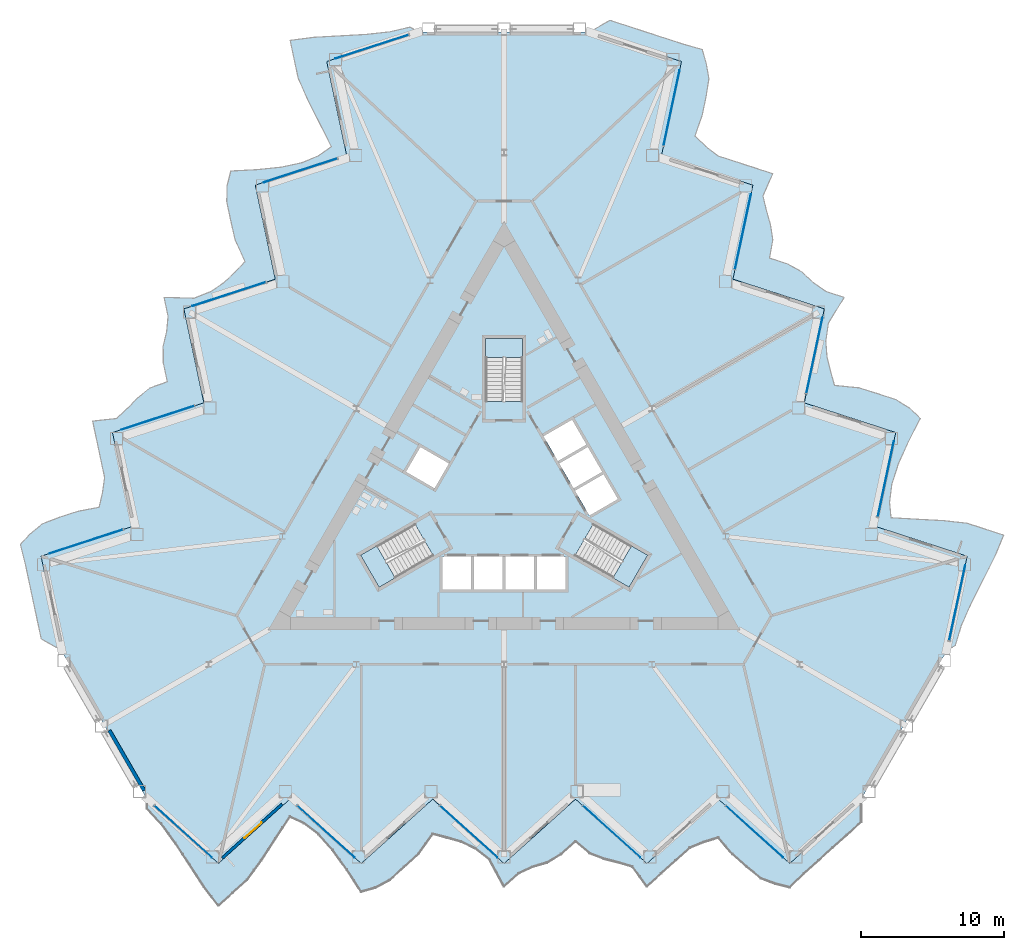
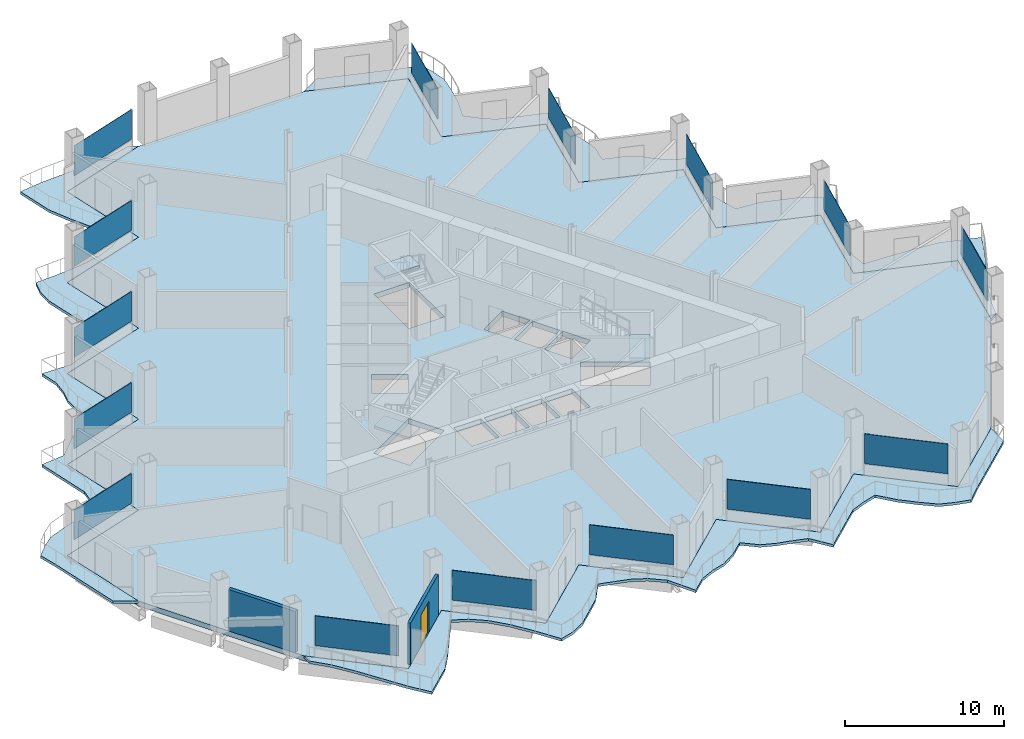
# One storey, part 9 of 21: 15 plates, 7 slabs, 2 walls, 1 door, 1 opening, 18 elements without a shape of their own.
"""IFC4 building model written with IfcOpenShell, lengths in metres."""

from ifc_helpers import new_model, si_unit, direction, frame, frame_2d, origin, origin_2d, place, context, subcontext, project, spatial, polyline, rectangle, outline, extrude, material, layer, layer_set, type_object, element, fill, aggregate, save


model = new_model("IFC4")

# Units and contexts
model_context = context("Model", 3, precision=1e-05, world=origin(), true_north=direction((0.0, 1.0)))
body_context = subcontext(model_context, "Body", "Model", "MODEL_VIEW")
ifc_project = project(units=[si_unit("LENGTHUNIT", "METRE"), si_unit("AREAUNIT", "SQUARE_METRE"), si_unit("VOLUMEUNIT", "CUBIC_METRE"), si_unit("PLANEANGLEUNIT", "RADIAN"), si_unit("MASSUNIT", "GRAM", prefix="KILO")], contexts=[model_context])

# Site, building, storey
site_placement = place(None, origin())
site = spatial("IfcSite", under=ifc_project, at=site_placement, CompositionType="ELEMENT")
building_placement = place(site_placement, origin())
building = spatial("IfcBuilding", under=site, at=building_placement, Name="Cormorant Prow Tower", CompositionType="ELEMENT")
storey_placement = place(building_placement, frame((0.0, 0.0, 99.60009765625)))
storey = spatial("IfcBuildingStorey", under=building, at=storey_placement, Name="L20", CompositionType="ELEMENT", Elevation=99.60009765625)

# Slabs
ifc_material_1 = material(Name="Concrete C40/50", Category="concrete")
ifc_layer_1 = layer(ifc_material_1, 0.199951171875)
ifc_layer_set_1 = layer_set([ifc_layer_1], Name="Concrete C40/50")
slab_type_1 = type_object("IfcSlabType", Name="Balcony slab 200", PredefinedType="FLOOR", material=ifc_layer_set_1)
slab_1_placement = place(storey_placement, frame((0.0, 0.0, -0.2001953125)))
element("IfcSlab", 1, at=slab_1_placement, inside=storey, type_object=slab_type_1, Name="Balcony slab S L20", PredefinedType="FLOOR", context=body_context, shape_type="SweptSolid", body=[
    extrude(outline(polyline([(-24.96337890625, -21.35498046875), (-24.96337890625, -22.0048828125), (-23.96484375, -23.073974609375), (-22.96630859375, -24.43701171875), (-21.9677734375, -25.967529296875), (-20.96923828125, -27.49365234375), (-19.970703125, -28.80029296875), (-18.97216796875, -27.9013671875), (-17.9736328125, -27.002197265625), (-16.97509765625, -25.642578125), (-15.9765625, -24.1083984375), (-14.97802734375, -22.586669921875), (-13.9794921875, -23.044677734375), (-12.98095703125, -23.8046875), (-11.982421875, -24.904052734375), (-10.98388671875, -26.288818359375), (-9.9853515625, -27.826416015625), (-8.98681640625, -27.545166015625), (-7.98828125, -27.002197265625), (-6.98974609375, -26.10302734375), (-5.9912109375, -25.185302734375), (-4.99267578125, -23.790283203125), (-3.994140625, -24.047607421875), (-2.99560546875, -24.334228515625), (-1.9970703125, -24.816162109375), (-0.99853515625, -25.607177734375), (0.0, -27.450439453125), (0.99853515625, -26.55126953125), (1.9970703125, -26.0888671875), (2.99560546875, -25.796875), (3.994140625, -25.2041015625), (4.99267578125, -24.304931640625), (5.9912109375, -25.149658203125), (6.98974609375, -25.53271484375), (7.98828125, -25.785400390625), (8.98681640625, -26.08349609375), (9.9853515625, -27.450439453125), (10.98388671875, -26.55126953125), (11.982421875, -25.652099609375), (12.98095703125, -24.753173828125), (13.9794921875, -24.350830078125), (14.97802734375, -24.046630859375), (15.9765625, -25.2041015625), (16.97509765625, -26.10302734375), (17.9736328125, -26.909912109375), (18.97216796875, -27.274169921875), (19.970703125, -27.5234375), (20.96923828125, -26.55126953125), (21.9677734375, -25.652099609375), (22.96630859375, -24.753173828125), (23.96484375, -23.85400390625), (24.96337890625, -22.954833984375), (24.96337890625, -21.35498046875), (23.96484375, -22.254150390625), (22.96630859375, -23.153076171875), (21.9677734375, -24.05224609375), (20.96923828125, -24.951171875), (19.970703125, -25.850341796875), (18.97216796875, -24.951171875), (17.9736328125, -24.05224609375), (16.97509765625, -23.153076171875), (15.9765625, -22.254150390625), (14.97802734375, -21.35498046875), (13.9794921875, -22.254150390625), (12.98095703125, -23.153076171875), (11.982421875, -24.05224609375), (10.98388671875, -24.951171875), (9.9853515625, -25.850341796875), (8.98681640625, -24.951171875), (7.98828125, -24.05224609375), (6.98974609375, -23.153076171875), (5.9912109375, -22.254150390625), (4.99267578125, -21.35498046875), (3.994140625, -22.254150390625), (2.99560546875, -23.153076171875), (1.9970703125, -24.05224609375), (0.99853515625, -24.951171875), (0.0, -25.850341796875), (-0.99853515625, -24.951171875), (-1.9970703125, -24.05224609375), (-2.99560546875, -23.153076171875), (-3.994140625, -22.254150390625), (-4.99267578125, -21.35498046875), (-5.9912109375, -22.254150390625), (-6.98974609375, -23.153076171875), (-7.98828125, -24.05224609375), (-8.98681640625, -24.951171875), (-9.9853515625, -25.850341796875), (-10.98388671875, -24.951171875), (-11.982421875, -24.05224609375), (-12.98095703125, -23.153076171875), (-13.9794921875, -22.254150390625), (-14.97802734375, -21.35498046875), (-15.9765625, -22.254150390625), (-16.97509765625, -23.153076171875), (-17.9736328125, -24.05224609375), (-18.97216796875, -24.951171875), (-19.970703125, -25.850341796875), (-20.96923828125, -24.951171875), (-21.9677734375, -24.05224609375), (-22.96630859375, -23.153076171875), (-23.96484375, -22.254150390625), (-24.96337890625, -21.35498046875)])), origin(), (0.0, 0.0, 1.0), 0.2001953125),
])
slab_2_placement = place(storey_placement, frame((0.0, 0.0, -0.2001953125)))
element("IfcSlab", 2, at=slab_2_placement, inside=storey, type_object=slab_type_1, Name="Balcony slab ENE L20", PredefinedType="FLOOR", context=body_context, shape_type="SweptSolid", body=[
    extrude(outline(polyline([(30.9755859375, -10.94140625), (31.53857421875, -10.616455078125), (31.965087890625, -9.217041015625), (32.646240234375, -7.6708984375), (33.472412109375, -6.041015625), (34.294921875, -4.4130859375), (34.92724609375, -2.89501953125), (33.6494140625, -2.479736328125), (32.371337890625, -2.064453125), (30.69482421875, -1.879638671875), (28.86669921875, -1.781982421875), (27.049560546875, -1.677978515625), (26.947021484375, -0.584228515625), (27.10595703125, 0.660400390625), (27.558837890625, 2.074951171875), (28.258544921875, 3.632080078125), (29.091064453125, 5.265625), (28.34814453125, 5.98974609375), (27.378662109375, 6.5830078125), (26.100830078125, 6.998291015625), (24.806640625, 7.404052734375), (23.09912109375, 7.5712890625), (22.822998046875, 8.564697265625), (22.57177734375, 9.57275390625), (22.489990234375, 10.678466796875), (22.67578125, 11.93896484375), (23.772705078125, 13.72509765625), (22.494873046875, 14.140380859375), (21.594970703125, 14.77392578125), (20.8427734375, 15.49267578125), (19.830322265625, 16.06103515625), (18.55224609375, 16.476318359375), (18.78466796875, 17.763427734375), (18.6171875, 18.819580078125), (18.336669921875, 19.810791015625), (18.095458984375, 20.824462890625), (18.780029296875, 22.372802734375), (17.502197265625, 22.7880859375), (16.22412109375, 23.203125), (14.9462890625, 23.618408203125), (14.098876953125, 24.281982421875), (13.3359375, 24.99462890625), (13.839111328125, 26.438232421875), (14.118408203125, 27.75244140625), (14.31787109375, 29.0205078125), (14.134033203125, 30.0673828125), (13.8505859375, 31.056884765625), (12.509521484375, 31.435546875), (11.2314453125, 31.850830078125), (9.95361328125, 32.265869140625), (8.67578125, 32.68115234375), (7.39794921875, 33.096435546875), (6.01220703125, 32.29638671875), (7.2900390625, 31.881103515625), (8.568115234375, 31.466064453125), (9.845947265625, 31.05078125), (11.123779296875, 30.635498046875), (12.401611328125, 30.22021484375), (12.122314453125, 28.906005859375), (11.843017578125, 27.591796875), (11.563720703125, 26.27734375), (11.2841796875, 24.963134765625), (11.0048828125, 23.64892578125), (12.28271484375, 23.233642578125), (13.560791015625, 22.818359375), (14.838623046875, 22.403076171875), (16.116455078125, 21.988037109375), (17.394287109375, 21.57275390625), (17.114990234375, 20.258544921875), (16.835693359375, 18.944091796875), (16.556396484375, 17.6298828125), (16.27685546875, 16.315673828125), (15.99755859375, 15.001220703125), (17.275390625, 14.5859375), (18.553466796875, 14.1708984375), (19.831298828125, 13.755615234375), (21.109130859375, 13.34033203125), (22.386962890625, 12.92529296875), (22.107666015625, 11.61083984375), (21.828369140625, 10.296630859375), (21.549072265625, 8.982177734375), (21.26953125, 7.66796875), (20.990234375, 6.353759765625), (22.26806640625, 5.9384765625), (23.546142578125, 5.523193359375), (24.823974609375, 5.108154296875), (26.101806640625, 4.69287109375), (27.379638671875, 4.277587890625), (27.100341796875, 2.96337890625), (26.821044921875, 1.64892578125), (26.541748046875, 0.334716796875), (26.26220703125, -0.9794921875), (25.98291015625, -2.2939453125), (27.2607421875, -2.708984375), (28.538818359375, -3.124267578125), (29.816650390625, -3.53955078125), (31.094482421875, -3.954833984375), (32.372314453125, -4.369873046875), (32.093017578125, -5.684326171875), (31.813720703125, -6.99853515625), (31.534423828125, -8.312744140625), (31.2548828125, -9.627197265625), (30.9755859375, -10.94140625)])), origin(), (0.0, 0.0, 1.0), 0.2001953125),
])
slab_3_placement = place(storey_placement, frame((0.0, 0.0, -0.2001953125)))
element("IfcSlab", 3, at=slab_3_placement, inside=storey, type_object=slab_type_1, Name="Balcony slab WNW L20", PredefinedType="FLOOR", context=body_context, shape_type="SweptSolid", body=[
    extrude(outline(polyline([(-6.01220703125, 32.29638671875), (-6.5751953125, 32.621337890625), (-8.000244140625, 32.291259765625), (-9.679931640625, 32.10791015625), (-11.504638671875, 32.00830078125), (-13.32568359375, 31.90673828125), (-14.95654296875, 31.6953125), (-14.67724609375, 30.381103515625), (-14.397705078125, 29.066650390625), (-13.7197265625, 27.522216796875), (-12.89013671875, 25.890380859375), (-12.071533203125, 24.2646484375), (-12.967529296875, 23.62890625), (-14.125, 23.14404296875), (-15.576416015625, 22.8291015625), (-17.274658203125, 22.65673828125), (-19.105712890625, 22.560791015625), (-19.361328125, 21.555419921875), (-19.390380859375, 20.419189453125), (-19.111083984375, 19.104736328125), (-18.8154296875, 17.78125), (-18.1064453125, 16.21875), (-18.828857421875, 15.48291015625), (-19.576171875, 14.76123046875), (-20.492919921875, 14.1376953125), (-21.67724609375, 13.66845703125), (-23.772705078125, 13.72509765625), (-23.493408203125, 12.410888671875), (-23.592041015625, 11.31494140625), (-23.83837890625, 10.30419921875), (-23.824462890625, 9.14306640625), (-23.544921875, 7.82861328125), (-24.77587890625, 7.38623046875), (-25.60693359375, 6.713134765625), (-26.324951171875, 5.974609375), (-27.082275390625, 5.2587890625), (-28.765380859375, 5.07763671875), (-28.486083984375, 3.763427734375), (-28.206787109375, 2.448974609375), (-27.92724609375, 1.134765625), (-28.078369140625, 0.06884765625), (-28.31396484375, -0.947998046875), (-29.815673828125, -1.234130859375), (-31.093505859375, -1.6494140625), (-32.29150390625, -2.110595703125), (-33.106201171875, -2.793212890625), (-33.8212890625, -3.533447265625), (-33.478759765625, -4.88427734375), (-33.199462890625, -6.198486328125), (-32.919921875, -7.512939453125), (-32.640625, -8.8271484375), (-32.361328125, -10.141357421875), (-30.9755859375, -10.94140625), (-31.2548828125, -9.627197265625), (-31.534423828125, -8.312744140625), (-31.813720703125, -6.99853515625), (-32.093017578125, -5.684326171875), (-32.372314453125, -4.369873046875), (-31.094482421875, -3.954833984375), (-29.816650390625, -3.53955078125), (-28.538818359375, -3.124267578125), (-27.2607421875, -2.708984375), (-25.98291015625, -2.2939453125), (-26.26220703125, -0.9794921875), (-26.541748046875, 0.334716796875), (-26.821044921875, 1.64892578125), (-27.100341796875, 2.96337890625), (-27.379638671875, 4.277587890625), (-26.101806640625, 4.69287109375), (-24.823974609375, 5.108154296875), (-23.546142578125, 5.523193359375), (-22.26806640625, 5.9384765625), (-20.990234375, 6.353759765625), (-21.26953125, 7.66796875), (-21.549072265625, 8.982177734375), (-21.828369140625, 10.296630859375), (-22.107666015625, 11.61083984375), (-22.386962890625, 12.92529296875), (-21.109130859375, 13.34033203125), (-19.831298828125, 13.755615234375), (-18.553466796875, 14.1708984375), (-17.275390625, 14.5859375), (-15.99755859375, 15.001220703125), (-16.27685546875, 16.315673828125), (-16.556396484375, 17.6298828125), (-16.835693359375, 18.944091796875), (-17.114990234375, 20.258544921875), (-17.394287109375, 21.57275390625), (-16.116455078125, 21.988037109375), (-14.838623046875, 22.403076171875), (-13.560791015625, 22.818359375), (-12.28271484375, 23.233642578125), (-11.0048828125, 23.64892578125), (-11.2841796875, 24.963134765625), (-11.563720703125, 26.27734375), (-11.843017578125, 27.591796875), (-12.122314453125, 28.906005859375), (-12.401611328125, 30.22021484375), (-11.123779296875, 30.635498046875), (-9.845947265625, 31.05078125), (-8.568115234375, 31.466064453125), (-7.2900390625, 31.881103515625), (-6.01220703125, 32.29638671875)])), origin(), (0.0, 0.0, 1.0), 0.2001953125),
])

# Curtain wall, plate
ifc_material_2 = material(Name="Aluminium 6063-T6", Category="aluminium")
ifc_layer_2 = layer(ifc_material_2, 0.199951171875)
ifc_layer_set_2 = layer_set([ifc_layer_2], Name="Aluminium 6063-T6")
curtain_wall_type = type_object("IfcCurtainWallType", Name="Office unitised curtain wall 200", PredefinedType="NOTDEFINED", material=ifc_layer_set_2)
curtain_wall_1_placement = place(storey_placement, origin())
curtain_wall_1 = element("IfcCurtainWall", 4, at=curtain_wall_1_placement, inside=storey, type_object=curtain_wall_type, Name="Office curtain wall S00", PredefinedType="NOTDEFINED")
ifc_material_3 = material(Name="Clear glass", Category="glass")
ifc_layer_3 = layer(ifc_material_3, 0.031982421875)
ifc_layer_set_3 = layer_set([ifc_layer_3], Name="Clear glass")
plate_type = type_object("IfcPlateType", Name="Office glass panel 32", PredefinedType="CURTAIN_PANEL", material=ifc_layer_set_3)
plate_1_placement = place(storey_placement, frame((-22.44482421875, -23.622802734375, 0.89990234375), z_axis=(0.0, 0.0, 1.0), x_axis=(0.743144785735, -0.669130650497, 0.0)))
plate_1 = element("IfcPlate", 5, at=plate_1_placement, type_object=plate_type, Name="Office glass panel S00", PredefinedType="CURTAIN_PANEL", context=body_context, shape_type="SweptSolid", body=[
    extrude(rectangle(XDim=5.38623046875, YDim=0.031982421875, at=origin_2d()), origin(), (0.0, 0.0, 1.0), 2.288818359375),
])
aggregate(curtain_wall_1, [plate_1])

curtain_wall_2_placement = place(storey_placement, origin())
curtain_wall_2 = element("IfcCurtainWall", 6, at=curtain_wall_2_placement, inside=storey, type_object=curtain_wall_type, Name="Office curtain wall S02", PredefinedType="NOTDEFINED")
plate_2_placement = place(storey_placement, frame((-12.45947265625, -23.622802734375, 0.89990234375), z_axis=(0.0, 0.0, 1.0), x_axis=(0.743144785735, -0.669130650497, 0.0)))
plate_2 = element("IfcPlate", 7, at=plate_2_placement, type_object=plate_type, Name="Office glass panel S02", PredefinedType="CURTAIN_PANEL", context=body_context, shape_type="SweptSolid", body=[
    extrude(rectangle(XDim=5.38623046875, YDim=0.031982421875, at=origin_2d()), origin(), (0.0, 0.0, 1.0), 2.288818359375),
])
aggregate(curtain_wall_2, [plate_2])

curtain_wall_3_placement = place(storey_placement, origin())
curtain_wall_3 = element("IfcCurtainWall", 8, at=curtain_wall_3_placement, inside=storey, type_object=curtain_wall_type, Name="Office curtain wall S04", PredefinedType="NOTDEFINED")
plate_3_placement = place(storey_placement, frame((-2.47412109375, -23.622802734375, 0.89990234375), z_axis=(0.0, 0.0, 1.0), x_axis=(0.743144785735, -0.669130650497, 0.0)))
plate_3 = element("IfcPlate", 9, at=plate_3_placement, type_object=plate_type, Name="Office glass panel S04", PredefinedType="CURTAIN_PANEL", context=body_context, shape_type="SweptSolid", body=[
    extrude(rectangle(XDim=5.38623046875, YDim=0.031982421875, at=origin_2d()), origin(), (0.0, 0.0, 1.0), 2.288818359375),
])
aggregate(curtain_wall_3, [plate_3])

curtain_wall_4_placement = place(storey_placement, origin())
curtain_wall_4 = element("IfcCurtainWall", 10, at=curtain_wall_4_placement, inside=storey, type_object=curtain_wall_type, Name="Office curtain wall S06", PredefinedType="NOTDEFINED")
plate_4_placement = place(storey_placement, frame((7.51123046875, -23.622802734375, 0.89990234375), z_axis=(0.0, 0.0, 1.0), x_axis=(0.743144785735, -0.669130650497, 0.0)))
plate_4 = element("IfcPlate", 11, at=plate_4_placement, type_object=plate_type, Name="Office glass panel S06", PredefinedType="CURTAIN_PANEL", context=body_context, shape_type="SweptSolid", body=[
    extrude(rectangle(XDim=5.38623046875, YDim=0.031982421875, at=origin_2d()), origin(), (0.0, 0.0, 1.0), 2.288818359375),
])
aggregate(curtain_wall_4, [plate_4])

curtain_wall_5_placement = place(storey_placement, origin())
curtain_wall_5 = element("IfcCurtainWall", 12, at=curtain_wall_5_placement, inside=storey, type_object=curtain_wall_type, Name="Office curtain wall S08", PredefinedType="NOTDEFINED")
plate_5_placement = place(storey_placement, frame((17.49658203125, -23.622802734375, 0.89990234375), z_axis=(0.0, 0.0, 1.0), x_axis=(0.743144785735, -0.669130650497, 0.0)))
plate_5 = element("IfcPlate", 13, at=plate_5_placement, type_object=plate_type, Name="Office glass panel S08", PredefinedType="CURTAIN_PANEL", context=body_context, shape_type="SweptSolid", body=[
    extrude(rectangle(XDim=5.38623046875, YDim=0.031982421875, at=origin_2d()), origin(), (0.0, 0.0, 1.0), 2.288818359375),
])
aggregate(curtain_wall_5, [plate_5])

curtain_wall_6_placement = place(storey_placement, origin())
curtain_wall_6 = element("IfcCurtainWall", 14, at=curtain_wall_6_placement, inside=storey, type_object=curtain_wall_type, Name="Office curtain wall ENE00", PredefinedType="NOTDEFINED")
plate_6_placement = place(storey_placement, frame((31.68017578125, -7.62646484375, 0.89990234375), z_axis=(0.0, 0.0, 1.0), x_axis=(0.207911769861, 0.978147583933, 0.0)))
plate_6 = element("IfcPlate", 15, at=plate_6_placement, type_object=plate_type, Name="Office glass panel ENE00", PredefinedType="CURTAIN_PANEL", context=body_context, shape_type="SweptSolid", body=[
    extrude(rectangle(XDim=5.38623046875, YDim=0.031982421875, at=origin_2d()), origin(), (0.0, 0.0, 1.0), 2.288818359375),
])
aggregate(curtain_wall_6, [plate_6])

curtain_wall_7_placement = place(storey_placement, origin())
curtain_wall_7 = element("IfcCurtainWall", 16, at=curtain_wall_7_placement, inside=storey, type_object=curtain_wall_type, Name="Office curtain wall ENE02", PredefinedType="NOTDEFINED")
plate_7_placement = place(storey_placement, frame((26.6875, 1.021240234375, 0.89990234375), z_axis=(0.0, 0.0, 1.0), x_axis=(0.207911769861, 0.978147583933, 0.0)))
plate_7 = element("IfcPlate", 17, at=plate_7_placement, type_object=plate_type, Name="Office glass panel ENE02", PredefinedType="CURTAIN_PANEL", context=body_context, shape_type="SweptSolid", body=[
    extrude(rectangle(XDim=5.38623046875, YDim=0.031982421875, at=origin_2d()), origin(), (0.0, 0.0, 1.0), 2.288818359375),
])
aggregate(curtain_wall_7, [plate_7])

curtain_wall_8_placement = place(storey_placement, origin())
curtain_wall_8 = element("IfcCurtainWall", 18, at=curtain_wall_8_placement, inside=storey, type_object=curtain_wall_type, Name="Office curtain wall ENE04", PredefinedType="NOTDEFINED")
plate_8_placement = place(storey_placement, frame((21.69482421875, 9.668701171875, 0.89990234375), z_axis=(0.0, 0.0, 1.0), x_axis=(0.207911769861, 0.978147583933, 0.0)))
plate_8 = element("IfcPlate", 19, at=plate_8_placement, type_object=plate_type, Name="Office glass panel ENE04", PredefinedType="CURTAIN_PANEL", context=body_context, shape_type="SweptSolid", body=[
    extrude(rectangle(XDim=5.38623046875, YDim=0.031982421875, at=origin_2d()), origin(), (0.0, 0.0, 1.0), 2.288818359375),
])
aggregate(curtain_wall_8, [plate_8])

curtain_wall_9_placement = place(storey_placement, origin())
curtain_wall_9 = element("IfcCurtainWall", 20, at=curtain_wall_9_placement, inside=storey, type_object=curtain_wall_type, Name="Office curtain wall ENE06", PredefinedType="NOTDEFINED")
plate_9_placement = place(storey_placement, frame((16.7021484375, 18.31640625, 0.89990234375), z_axis=(0.0, 0.0, 1.0), x_axis=(0.207911769861, 0.978147583933, 0.0)))
plate_9 = element("IfcPlate", 21, at=plate_9_placement, type_object=plate_type, Name="Office glass panel ENE06", PredefinedType="CURTAIN_PANEL", context=body_context, shape_type="SweptSolid", body=[
    extrude(rectangle(XDim=5.38623046875, YDim=0.031982421875, at=origin_2d()), origin(), (0.0, 0.0, 1.0), 2.288818359375),
])
aggregate(curtain_wall_9, [plate_9])

curtain_wall_10_placement = place(storey_placement, origin())
curtain_wall_10 = element("IfcCurtainWall", 22, at=curtain_wall_10_placement, inside=storey, type_object=curtain_wall_type, Name="Office curtain wall ENE08", PredefinedType="NOTDEFINED")
plate_10_placement = place(storey_placement, frame((11.70947265625, 26.9638671875, 0.89990234375), z_axis=(0.0, 0.0, 1.0), x_axis=(0.207911769861, 0.978147583933, 0.0)))
plate_10 = element("IfcPlate", 23, at=plate_10_placement, type_object=plate_type, Name="Office glass panel ENE08", PredefinedType="CURTAIN_PANEL", context=body_context, shape_type="SweptSolid", body=[
    extrude(rectangle(XDim=5.38623046875, YDim=0.031982421875, at=origin_2d()), origin(), (0.0, 0.0, 1.0), 2.288818359375),
])
aggregate(curtain_wall_10, [plate_10])

curtain_wall_11_placement = place(storey_placement, origin())
curtain_wall_11 = element("IfcCurtainWall", 24, at=curtain_wall_11_placement, inside=storey, type_object=curtain_wall_type, Name="Office curtain wall WNW00", PredefinedType="NOTDEFINED")
plate_11_placement = place(storey_placement, frame((-9.235595703125, 31.2490234375, 0.89990234375), z_axis=(0.0, 0.0, 1.0), x_axis=(-0.951056535959, -0.309016933855, 0.0)))
plate_11 = element("IfcPlate", 25, at=plate_11_placement, type_object=plate_type, Name="Office glass panel WNW00", PredefinedType="CURTAIN_PANEL", context=body_context, shape_type="SweptSolid", body=[
    extrude(rectangle(XDim=5.38623046875, YDim=0.031982421875, at=origin_2d()), origin(), (0.0, 0.0, 1.0), 2.288818359375),
])
aggregate(curtain_wall_11, [plate_11])

curtain_wall_12_placement = place(storey_placement, origin())
curtain_wall_12 = element("IfcCurtainWall", 26, at=curtain_wall_12_placement, inside=storey, type_object=curtain_wall_type, Name="Office curtain wall WNW02", PredefinedType="NOTDEFINED")
plate_12_placement = place(storey_placement, frame((-14.228271484375, 22.6015625, 0.89990234375), z_axis=(0.0, 0.0, 1.0), x_axis=(-0.951056535959, -0.309016933855, 0.0)))
plate_12 = element("IfcPlate", 27, at=plate_12_placement, type_object=plate_type, Name="Office glass panel WNW02", PredefinedType="CURTAIN_PANEL", context=body_context, shape_type="SweptSolid", body=[
    extrude(rectangle(XDim=5.38623046875, YDim=0.031982421875, at=origin_2d()), origin(), (0.0, 0.0, 1.0), 2.288818359375),
])
aggregate(curtain_wall_12, [plate_12])

curtain_wall_13_placement = place(storey_placement, origin())
curtain_wall_13 = element("IfcCurtainWall", 28, at=curtain_wall_13_placement, inside=storey, type_object=curtain_wall_type, Name="Office curtain wall WNW04", PredefinedType="NOTDEFINED")
plate_13_placement = place(storey_placement, frame((-19.220947265625, 13.953857421875, 0.89990234375), z_axis=(0.0, 0.0, 1.0), x_axis=(-0.951056535959, -0.309016933855, 0.0)))
plate_13 = element("IfcPlate", 29, at=plate_13_placement, type_object=plate_type, Name="Office glass panel WNW04", PredefinedType="CURTAIN_PANEL", context=body_context, shape_type="SweptSolid", body=[
    extrude(rectangle(XDim=5.38623046875, YDim=0.031982421875, at=origin_2d()), origin(), (0.0, 0.0, 1.0), 2.288818359375),
])
aggregate(curtain_wall_13, [plate_13])

curtain_wall_14_placement = place(storey_placement, origin())
curtain_wall_14 = element("IfcCurtainWall", 30, at=curtain_wall_14_placement, inside=storey, type_object=curtain_wall_type, Name="Office curtain wall WNW06", PredefinedType="NOTDEFINED")
plate_14_placement = place(storey_placement, frame((-24.213623046875, 5.306396484375, 0.89990234375), z_axis=(0.0, 0.0, 1.0), x_axis=(-0.951056535959, -0.309016933855, 0.0)))
plate_14 = element("IfcPlate", 31, at=plate_14_placement, type_object=plate_type, Name="Office glass panel WNW06", PredefinedType="CURTAIN_PANEL", context=body_context, shape_type="SweptSolid", body=[
    extrude(rectangle(XDim=5.38623046875, YDim=0.031982421875, at=origin_2d()), origin(), (0.0, 0.0, 1.0), 2.288818359375),
])
aggregate(curtain_wall_14, [plate_14])

curtain_wall_15_placement = place(storey_placement, origin())
curtain_wall_15 = element("IfcCurtainWall", 32, at=curtain_wall_15_placement, inside=storey, type_object=curtain_wall_type, Name="Office curtain wall WNW08", PredefinedType="NOTDEFINED")
plate_15_placement = place(storey_placement, frame((-29.206298828125, -3.34130859375, 0.89990234375), z_axis=(0.0, 0.0, 1.0), x_axis=(-0.951056535959, -0.309016933855, 0.0)))
plate_15 = element("IfcPlate", 33, at=plate_15_placement, type_object=plate_type, Name="Office glass panel WNW08", PredefinedType="CURTAIN_PANEL", context=body_context, shape_type="SweptSolid", body=[
    extrude(rectangle(XDim=5.38623046875, YDim=0.031982421875, at=origin_2d()), origin(), (0.0, 0.0, 1.0), 2.288818359375),
])
aggregate(curtain_wall_15, [plate_15])

# Slab
ifc_material_4 = material(Name="Concrete C40/50", Category="concrete")
ifc_layer_4 = layer(ifc_material_4, 0.39990234375)
ifc_layer_set_4 = layer_set([ifc_layer_4], Name="Concrete C40/50")
slab_type_2 = type_object("IfcSlabType", Name="Post-tensioned flat slab 400", PredefinedType="FLOOR", material=ifc_layer_set_4)
slab_4_placement = place(storey_placement, frame((0.0, 0.0, -0.400146484375)))
element("IfcSlab", 34, at=slab_4_placement, inside=storey, type_object=slab_type_2, Name="Floor slab L20", PredefinedType="FLOOR", context=body_context, shape_type="SweptSolid", body=[
    extrude(outline(polyline([(-12.401611328125, 30.22021484375), (-11.0048828125, 23.64892578125), (-17.394287109375, 21.57275390625), (-15.99755859375, 15.001220703125), (-22.386962890625, 12.92529296875), (-20.990234375, 6.353759765625), (-27.379638671875, 4.277587890625), (-25.98291015625, -2.2939453125), (-32.372314453125, -4.369873046875), (-30.9755859375, -10.94140625), (-27.969482421875, -16.148193359375), (-24.96337890625, -21.35498046875), (-19.970703125, -25.850341796875), (-14.97802734375, -21.35498046875), (-9.9853515625, -25.850341796875), (-4.99267578125, -21.35498046875), (0.0, -25.850341796875), (4.99267578125, -21.35498046875), (9.9853515625, -25.850341796875), (14.97802734375, -21.35498046875), (19.970703125, -25.850341796875), (24.96337890625, -21.35498046875), (27.969482421875, -16.148193359375), (30.9755859375, -10.94140625), (32.372314453125, -4.369873046875), (25.98291015625, -2.2939453125), (27.379638671875, 4.277587890625), (20.990234375, 6.353759765625), (22.386962890625, 12.92529296875), (15.99755859375, 15.001220703125), (17.394287109375, 21.57275390625), (11.0048828125, 23.64892578125), (12.401611328125, 30.22021484375), (6.01220703125, 32.29638671875), (0.0, 32.29638671875), (-6.01220703125, 32.29638671875), (-12.401611328125, 30.22021484375)]), holes=[polyline([(-4.300048828125, -6.699951171875), (-4.300048828125, -4.39990234375), (-2.300048828125, -4.39990234375), (-2.300048828125, -6.699951171875), (-4.300048828125, -6.699951171875)]), polyline([(-2.10009765625, -4.39990234375), (-0.10009765625, -4.39990234375), (-0.10009765625, -6.699951171875), (-2.10009765625, -6.699951171875), (-2.10009765625, -4.39990234375)]), polyline([(2.10009765625, -4.39990234375), (2.10009765625, -6.699951171875), (0.10009765625, -6.699951171875), (0.10009765625, -4.39990234375), (2.10009765625, -4.39990234375)]), polyline([(4.300048828125, -6.699951171875), (2.300048828125, -6.699951171875), (2.300048828125, -4.39990234375), (4.300048828125, -4.39990234375), (4.300048828125, -6.699951171875)]), polyline([(7.952392578125, -0.373779296875), (5.96044921875, -1.52392578125), (4.96044921875, 0.2080078125), (6.952392578125, 1.358154296875), (7.952392578125, -0.373779296875)]), polyline([(4.860595703125, 0.38134765625), (3.860595703125, 2.11328125), (5.852294921875, 3.263427734375), (6.852294921875, 1.53125), (4.860595703125, 0.38134765625)]), polyline([(2.760498046875, 4.018798828125), (4.75244140625, 5.168701171875), (5.75244140625, 3.4365234375), (3.760498046875, 2.28662109375), (2.760498046875, 4.018798828125)]), polyline([(-6.852294921875, 1.53125), (-5.852294921875, 3.263427734375), (-3.860595703125, 2.11328125), (-4.860595703125, 0.38134765625), (-6.852294921875, 1.53125)]), polyline([(-4.947509765625, -4.3505859375), (-8.738037109375, -6.5390625), (-10.031982421875, -4.2978515625), (-6.241455078125, -2.109375), (-4.947509765625, -4.3505859375)]), polyline([(10.031982421875, -4.2978515625), (8.738037109375, -6.5390625), (4.947509765625, -4.3505859375), (6.241455078125, -2.109375), (10.031982421875, -4.2978515625)]), polyline([(1.2939453125, 10.8369140625), (1.2939453125, 6.459716796875), (-1.2939453125, 6.459716796875), (-1.2939453125, 10.8369140625), (1.2939453125, 10.8369140625)])]), origin(), (0.0, 0.0, 1.0), 0.400146484375),
])

# Stair, slab
ifc_material_5 = material(Name="Exit stair 24 risers")
stair_type = type_object("IfcStairType", Name="Exit stair 24 risers", PredefinedType="HALF_TURN_STAIR", material=ifc_material_5)
stair_1_placement = place(storey_placement, origin())
stair_1 = element("IfcStair", 35, at=stair_1_placement, inside=storey, type_object=stair_type, Name="L20 Exit stair ST1", PredefinedType="HALF_TURN_STAIR")
ifc_material_6 = material(Name="Concrete 5000 psi", Category="concrete")
ifc_layer_5 = layer(ifc_material_6, 0.199951171875)
ifc_layer_set_5 = layer_set([ifc_layer_5], Name="Concrete 5000 psi")
slab_type_3 = type_object("IfcSlabType", Name="Stair landing 200", PredefinedType="LANDING", material=ifc_layer_set_5)
slab_5_placement = place(storey_placement, frame((0.0, 0.0, 1.89990234375)))
slab_5 = element("IfcSlab", 36, at=slab_5_placement, type_object=slab_type_3, Name="ST1 landing 1", PredefinedType="LANDING", context=body_context, shape_type="SweptSolid", body=[
    extrude(outline(polyline([(-8.90185546875, -3.645263671875), (-10.031982421875, -4.2978515625), (-8.738037109375, -6.5390625), (-7.60791015625, -5.886474609375), (-8.90185546875, -3.645263671875)])), origin(), (0.0, 0.0, 1.0), 0.199951171875),
])
aggregate(stair_1, [slab_5])

stair_2_placement = place(storey_placement, origin())
stair_2 = element("IfcStair", 37, at=stair_2_placement, inside=storey, type_object=stair_type, Name="L20 Exit stair ST2", PredefinedType="HALF_TURN_STAIR")
slab_6_placement = place(storey_placement, frame((0.0, 0.0, 1.89990234375)))
slab_6 = element("IfcSlab", 38, at=slab_6_placement, type_object=slab_type_3, Name="ST2 landing 1", PredefinedType="LANDING", context=body_context, shape_type="SweptSolid", body=[
    extrude(outline(polyline([(7.60791015625, -5.886474609375), (8.738037109375, -6.5390625), (10.031982421875, -4.2978515625), (8.90185546875, -3.645263671875), (7.60791015625, -5.886474609375)])), origin(), (0.0, 0.0, 1.0), 0.199951171875),
])
aggregate(stair_2, [slab_6])

stair_3_placement = place(storey_placement, origin())
stair_3 = element("IfcStair", 39, at=stair_3_placement, inside=storey, type_object=stair_type, Name="L20 Exit stair ST3", PredefinedType="HALF_TURN_STAIR")
slab_7_placement = place(storey_placement, frame((0.0, 0.0, 1.89990234375)))
slab_7 = element("IfcSlab", 40, at=slab_7_placement, type_object=slab_type_3, Name="ST3 landing 1", PredefinedType="LANDING", context=body_context, shape_type="SweptSolid", body=[
    extrude(outline(polyline([(1.2939453125, 9.53173828125), (1.2939453125, 10.8369140625), (-1.2939453125, 10.8369140625), (-1.2939453125, 9.53173828125), (1.2939453125, 9.53173828125)])), origin(), (0.0, 0.0, 1.0), 0.199951171875),
])
aggregate(stair_3, [slab_7])

# Wall
ifc_material_7 = material(Name="Terracotta", Category="masonry")
ifc_layer_6 = layer(ifc_material_7, 0.25)
ifc_layer_set_6 = layer_set([ifc_layer_6], Name="Terracotta")
wall_type_1 = type_object("IfcWallType", Name="Terracotta bay wall 250", PredefinedType="SOLIDWALL", material=ifc_layer_set_6)
wall_1_placement = place(storey_placement, frame((-27.597900390625, -16.541748046875, 0.0), z_axis=(0.0, 0.0, 1.0), x_axis=(0.499994084299, -0.866028819189, 0.0)))
element("IfcWall", 41, at=wall_1_placement, inside=storey, type_object=wall_type_1, Name="Terracotta bay wall WSW01", PredefinedType="SOLIDWALL", context=body_context, shape_type="SweptSolid", body=[
    extrude(rectangle(XDim=4.849609375, YDim=0.25, at=frame_2d((2.4248046875, 0.0))), origin(), (0.0, 0.0, 1.0), 3.188720703125),
])

# Wall, opening, door
ifc_material_8 = material(Name="Terracotta", Category="masonry")
ifc_layer_7 = layer(ifc_material_8, 0.199951171875)
ifc_layer_set_7 = layer_set([ifc_layer_7], Name="Terracotta")
wall_type_2 = type_object("IfcWallType", Name="Terracotta jamb wall 200", PredefinedType="SOLIDWALL", material=ifc_layer_set_7)
wall_2_placement = place(storey_placement, frame((-19.701904296875, -25.473876953125, 0.0), z_axis=(0.0, 0.0, 1.0), x_axis=(0.743145362679, 0.669130009736, 0.0)))
wall_2 = element("IfcWall", 42, at=wall_2_placement, inside=storey, type_object=wall_type_2, Name="Terracotta jamb wall S01", PredefinedType="SOLIDWALL", context=body_context, shape_type="SweptSolid", body=[
    extrude(rectangle(XDim=5.630615234375, YDim=0.199951171875, at=frame_2d((2.8154296875, 0.0))), origin(), (0.0, 0.0, 1.0), 3.188720703125),
])
opening_placement = place(wall_2_placement, frame((2.107421875, 0.0, 0.0)))
opening = element("IfcOpeningElement", 43, at=opening_placement, cuts=wall_2, Name="Opening ED20.01", PredefinedType="OPENING", context=body_context, shape_type="SweptSolid", body=[
    extrude(rectangle(XDim=1.60009765625, YDim=2.39990234375, at=frame_2d((0.800048828125, 1.199951171875))), frame((0.0, 0.10986328125, 0.0), z_axis=(0.0, -1.0, 0.0), x_axis=(1.0, 0.0, 0.0)), (0.0, 0.0, 1.0), 0.219970703125),
])
ifc_material_9 = material(Name="Aluminium 6063-T6", Category="aluminium")
door_type = type_object("IfcDoorType", Name="Balcony door 1600x2400", OperationType="DOUBLE_DOOR_SINGLE_SWING", PredefinedType="DOOR", material=ifc_material_9)
door_placement = place(opening_placement, origin())
door = element("IfcDoor", 44, at=door_placement, inside=storey, type_object=door_type, Name="Balcony door S01 ED20.01", OperationType="DOUBLE_DOOR_SINGLE_SWING", OverallHeight=2.39990234375, OverallWidth=1.60009765625, PredefinedType="DOOR", context=body_context, shape_type="SweptSolid", body=[
    extrude(rectangle(XDim=1.60009765625, YDim=2.39990234375, at=frame_2d((0.800048828125, 1.199951171875))), frame((0.0, 0.02490234375, 0.0), z_axis=(0.0, -1.0, 0.0), x_axis=(1.0, 0.0, 0.0)), (0.0, 0.0, 1.0), 0.050048828125),
])
fill(opening, door)

save(model, "model.ifc")
